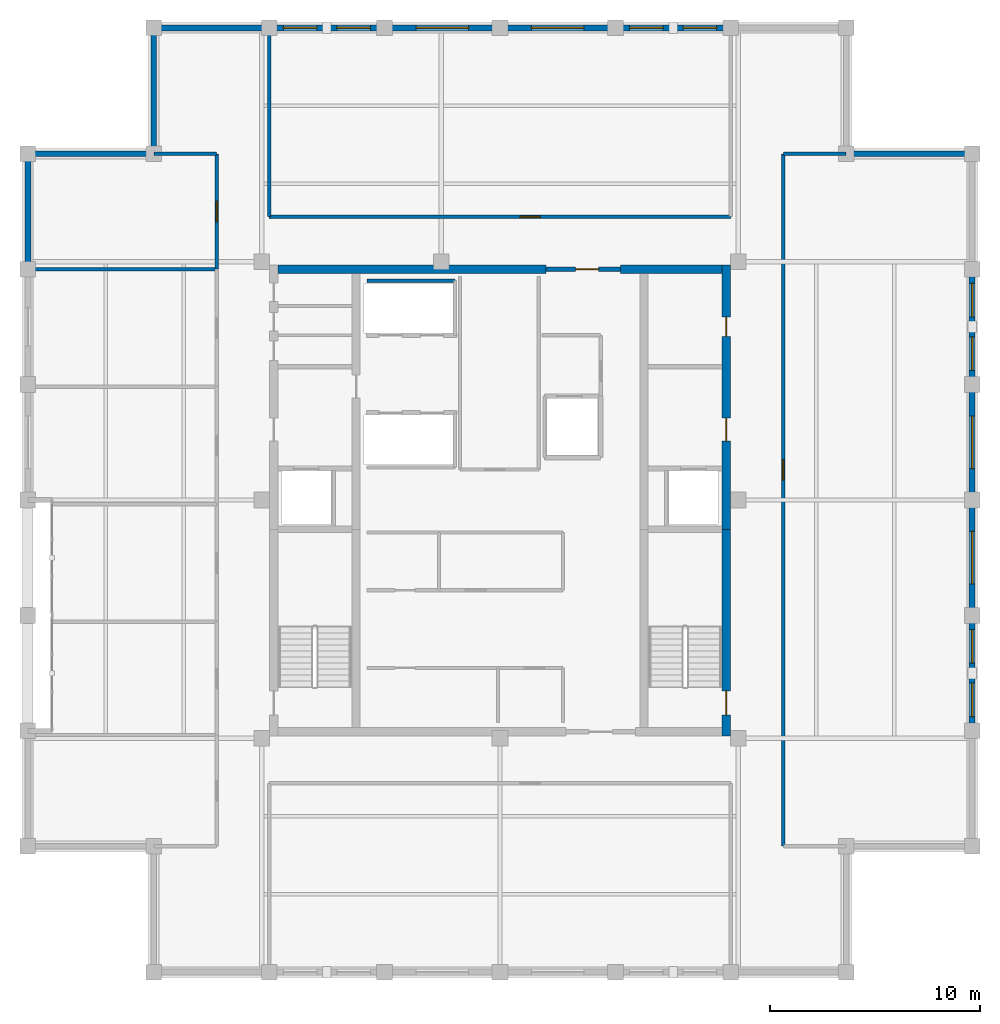
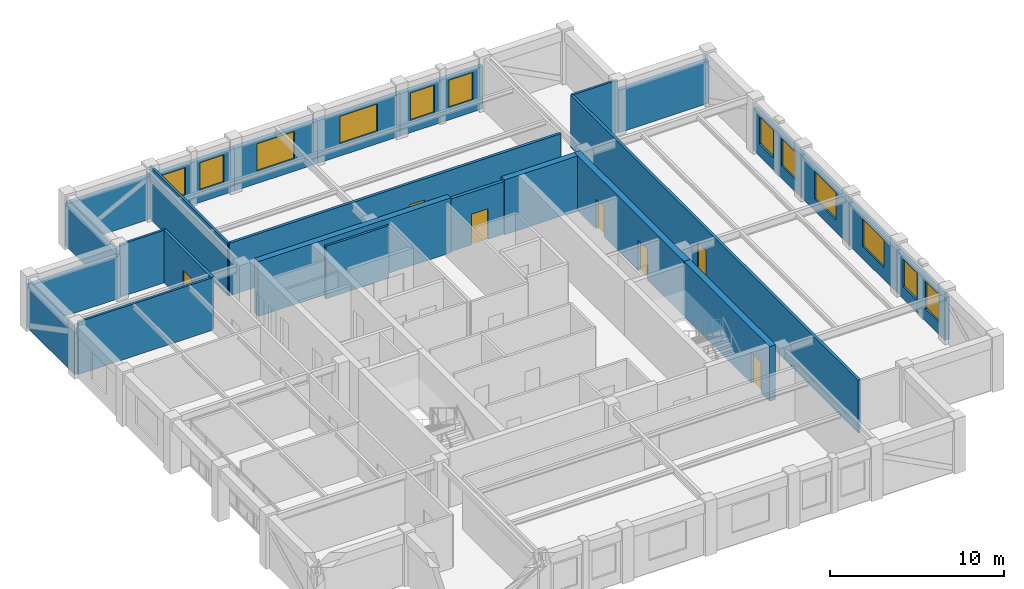
# One storey, part 8 of 10: 26 walls, 12 windows, 7 doors, 19 openings.
"""IFC4 building model written with IfcOpenShell, lengths in metres."""

from ifc_helpers import new_model, si_unit, direction, frame, frame_2d, origin, place, context, subcontext, project, spatial, rectangle, extrude, material, layer, layer_set, type_object, element, fill, save


model = new_model("IFC4")

# Units and contexts
model_context = context("Model", 3, precision=1e-05, world=origin(), true_north=direction((0.0, 1.0)))
body_context = subcontext(model_context, "Body", "Model", "MODEL_VIEW")
ifc_project = project(units=[si_unit("LENGTHUNIT", "METRE"), si_unit("AREAUNIT", "SQUARE_METRE"), si_unit("VOLUMEUNIT", "CUBIC_METRE"), si_unit("PLANEANGLEUNIT", "RADIAN"), si_unit("MASSUNIT", "GRAM", prefix="KILO")], contexts=[model_context])

# Site, building, storey
site_placement = place(None, origin())
site = spatial("IfcSite", under=ifc_project, at=site_placement, CompositionType="ELEMENT")
building_placement = place(site_placement, origin())
building = spatial("IfcBuilding", under=site, at=building_placement, Name="Nhamokura Convention Tower", CompositionType="ELEMENT")
storey_placement = place(building_placement, frame((0.0, 0.0, 296.800048828125)))
storey = spatial("IfcBuildingStorey", under=building, at=storey_placement, Name="L73", CompositionType="ELEMENT", Elevation=296.800048828125)

# Wall
ifc_material_1 = material(Name="Bronze-pigmented precast concrete C45/55", Category="concrete")
ifc_layer_1 = layer(ifc_material_1, 0.280029296875)
ifc_layer_set_1 = layer_set([ifc_layer_1], Name="BronzePrecastSpandrel_280")
wall_type_1 = type_object("IfcWallType", Name="BronzePrecastSpandrel_280", PredefinedType="USERDEFINED", material=ifc_layer_set_1)
wall_1_placement = place(storey_placement, frame((15.5, 54.5, 0.0), z_axis=(0.0, 0.0, 1.0), x_axis=(1.0, 0.0, 0.0)))
element("IfcWall", 1, at=wall_1_placement, inside=storey, type_object=wall_type_1, Name="L73 Braced-Bay Precast Wall NORTH 0", ObjectType="SPANDREL_WALL", PredefinedType="USERDEFINED", context=body_context, shape_type="SweptSolid", body=[
    extrude(rectangle(XDim=5.5, YDim=0.280029296875, at=frame_2d((2.75, 0.0))), origin(), (0.0, 0.0, 1.0), 2.98486328125),
])

# Wall, openings, windows
wall_2_placement = place(storey_placement, frame((21.0, 54.5, 0.0), z_axis=(0.0, 0.0, 1.0), x_axis=(1.0, 0.0, 0.0)))
wall_2 = element("IfcWall", 2, at=wall_2_placement, inside=storey, type_object=wall_type_1, Name="L73 Masonry-Frame Wall NORTH 1", ObjectType="SPANDREL_WALL", PredefinedType="USERDEFINED", context=body_context, shape_type="SweptSolid", body=[
    extrude(rectangle(XDim=5.5, YDim=0.280029296875, at=frame_2d((2.75, 0.0))), origin(), (0.0, 0.0, 1.0), 2.98486328125),
])
opening_1_placement = place(wall_2_placement, frame((0.675048828125, 0.0, 0.85009765625)))
opening_1 = element("IfcOpeningElement", 3, at=opening_1_placement, cuts=wall_2, Name="Opening W-11", PredefinedType="OPENING", context=body_context, shape_type="SweptSolid", body=[
    extrude(rectangle(XDim=1.60009765625, YDim=1.93505859375, at=frame_2d((0.800048828125, 0.967529296875))), frame((0.0, 0.14990234375, 0.0), z_axis=(0.0, -1.0, 0.0), x_axis=(1.0, 0.0, 0.0)), (0.0, 0.0, 1.0), 0.300048828125),
])
opening_2_placement = place(wall_2_placement, frame((3.22509765625, 0.0, 0.85009765625)))
opening_2 = element("IfcOpeningElement", 4, at=opening_2_placement, cuts=wall_2, Name="Opening W-11", PredefinedType="OPENING", context=body_context, shape_type="SweptSolid", body=[
    extrude(rectangle(XDim=1.60009765625, YDim=1.93505859375, at=frame_2d((0.800048828125, 0.967529296875))), frame((0.0, 0.14990234375, 0.0), z_axis=(0.0, -1.0, 0.0), x_axis=(1.0, 0.0, 0.0)), (0.0, 0.0, 1.0), 0.300048828125),
])
ifc_material_2 = material(Name="Solar-control bronze low-E double glass", Category="glass")
window_type_1 = type_object("IfcWindowType", Name="NotchCornerWindow_1600", PartitioningType="SINGLE_PANEL", PredefinedType="WINDOW", material=ifc_material_2)
window_1_placement = place(opening_1_placement, origin())
window_1 = element("IfcWindow", 5, at=window_1_placement, inside=storey, type_object=window_type_1, Name="L73 Facade Window NORTH 1-1", OverallHeight=1.93505859375, OverallWidth=1.60009765625, PartitioningType="SINGLE_PANEL", PredefinedType="WINDOW", context=body_context, shape_type="SweptSolid", body=[
    extrude(rectangle(XDim=1.60009765625, YDim=1.93505859375, at=frame_2d((0.800048828125, 0.967529296875))), frame((0.0, 0.030029296875, 0.0), z_axis=(0.0, -1.0, 0.0), x_axis=(1.0, 0.0, 0.0)), (0.0, 0.0, 1.0), 0.06005859375),
])
fill(opening_1, window_1)
window_2_placement = place(opening_2_placement, origin())
window_2 = element("IfcWindow", 6, at=window_2_placement, inside=storey, type_object=window_type_1, Name="L73 Facade Window NORTH 1-2", OverallHeight=1.93505859375, OverallWidth=1.60009765625, PartitioningType="SINGLE_PANEL", PredefinedType="WINDOW", context=body_context, shape_type="SweptSolid", body=[
    extrude(rectangle(XDim=1.60009765625, YDim=1.93505859375, at=frame_2d((0.800048828125, 0.967529296875))), frame((0.0, 0.030029296875, 0.0), z_axis=(0.0, -1.0, 0.0), x_axis=(1.0, 0.0, 0.0)), (0.0, 0.0, 1.0), 0.06005859375),
])
fill(opening_2, window_2)

# Wall, opening, window
wall_3_placement = place(storey_placement, frame((26.5, 54.5, 0.0), z_axis=(0.0, 0.0, 1.0), x_axis=(1.0, 0.0, 0.0)))
wall_3 = element("IfcWall", 7, at=wall_3_placement, inside=storey, type_object=wall_type_1, Name="L73 Masonry-Frame Wall NORTH 2", ObjectType="SPANDREL_WALL", PredefinedType="USERDEFINED", context=body_context, shape_type="SweptSolid", body=[
    extrude(rectangle(XDim=5.5, YDim=0.280029296875, at=frame_2d((2.75, 0.0))), origin(), (0.0, 0.0, 1.0), 2.98486328125),
])
opening_3_placement = place(wall_3_placement, frame((1.5, 0.0, 0.85009765625)))
opening_3 = element("IfcOpeningElement", 8, at=opening_3_placement, cuts=wall_3, Name="Opening W-09", PredefinedType="OPENING", context=body_context, shape_type="SweptSolid", body=[
    extrude(rectangle(XDim=2.5, YDim=1.93505859375, at=frame_2d((1.25, 0.967529296875))), frame((0.0, 0.14990234375, 0.0), z_axis=(0.0, -1.0, 0.0), x_axis=(1.0, 0.0, 0.0)), (0.0, 0.0, 1.0), 0.300048828125),
])
ifc_material_3 = material(Name="Solar-control bronze low-E double glass", Category="glass")
window_type_2 = type_object("IfcWindowType", Name="SummitWindow_Z4_2500", PartitioningType="DOUBLE_PANEL_VERTICAL", PredefinedType="WINDOW", material=ifc_material_3)
window_3_placement = place(opening_3_placement, origin())
window_3 = element("IfcWindow", 9, at=window_3_placement, inside=storey, type_object=window_type_2, Name="L73 Facade Window NORTH 2", OverallHeight=1.93505859375, OverallWidth=2.5, PartitioningType="SINGLE_PANEL", PredefinedType="WINDOW", context=body_context, shape_type="SweptSolid", body=[
    extrude(rectangle(XDim=2.5, YDim=1.93505859375, at=frame_2d((1.25, 0.967529296875))), frame((0.0, 0.030029296875, 0.0), z_axis=(0.0, -1.0, 0.0), x_axis=(1.0, 0.0, 0.0)), (0.0, 0.0, 1.0), 0.06005859375),
])
fill(opening_3, window_3)

wall_4_placement = place(storey_placement, frame((32.0, 54.5, 0.0), z_axis=(0.0, 0.0, 1.0), x_axis=(1.0, 0.0, 0.0)))
wall_4 = element("IfcWall", 10, at=wall_4_placement, inside=storey, type_object=wall_type_1, Name="L73 Masonry-Frame Wall NORTH 3", ObjectType="SPANDREL_WALL", PredefinedType="USERDEFINED", context=body_context, shape_type="SweptSolid", body=[
    extrude(rectangle(XDim=5.5, YDim=0.280029296875, at=frame_2d((2.75, 0.0))), origin(), (0.0, 0.0, 1.0), 2.98486328125),
])
opening_4_placement = place(wall_4_placement, frame((1.5, 0.0, 0.85009765625)))
opening_4 = element("IfcOpeningElement", 11, at=opening_4_placement, cuts=wall_4, Name="Opening W-09", PredefinedType="OPENING", context=body_context, shape_type="SweptSolid", body=[
    extrude(rectangle(XDim=2.5, YDim=1.93505859375, at=frame_2d((1.25, 0.967529296875))), frame((0.0, 0.14990234375, 0.0), z_axis=(0.0, -1.0, 0.0), x_axis=(1.0, 0.0, 0.0)), (0.0, 0.0, 1.0), 0.300048828125),
])
window_4_placement = place(opening_4_placement, origin())
window_4 = element("IfcWindow", 12, at=window_4_placement, inside=storey, type_object=window_type_2, Name="L73 Facade Window NORTH 3", OverallHeight=1.93505859375, OverallWidth=2.5, PartitioningType="SINGLE_PANEL", PredefinedType="WINDOW", context=body_context, shape_type="SweptSolid", body=[
    extrude(rectangle(XDim=2.5, YDim=1.93505859375, at=frame_2d((1.25, 0.967529296875))), frame((0.0, 0.030029296875, 0.0), z_axis=(0.0, -1.0, 0.0), x_axis=(1.0, 0.0, 0.0)), (0.0, 0.0, 1.0), 0.06005859375),
])
fill(opening_4, window_4)

# Wall, openings, windows
wall_5_placement = place(storey_placement, frame((37.5, 54.5, 0.0), z_axis=(0.0, 0.0, 1.0), x_axis=(1.0, 0.0, 0.0)))
wall_5 = element("IfcWall", 13, at=wall_5_placement, inside=storey, type_object=wall_type_1, Name="L73 Masonry-Frame Wall NORTH 4", ObjectType="SPANDREL_WALL", PredefinedType="USERDEFINED", context=body_context, shape_type="SweptSolid", body=[
    extrude(rectangle(XDim=5.5, YDim=0.280029296875, at=frame_2d((2.75, 0.0))), origin(), (0.0, 0.0, 1.0), 2.98486328125),
])
opening_5_placement = place(wall_5_placement, frame((0.675048828125, 0.0, 0.85009765625)))
opening_5 = element("IfcOpeningElement", 14, at=opening_5_placement, cuts=wall_5, Name="Opening W-11", PredefinedType="OPENING", context=body_context, shape_type="SweptSolid", body=[
    extrude(rectangle(XDim=1.60009765625, YDim=1.93505859375, at=frame_2d((0.800048828125, 0.967529296875))), frame((0.0, 0.14990234375, 0.0), z_axis=(0.0, -1.0, 0.0), x_axis=(1.0, 0.0, 0.0)), (0.0, 0.0, 1.0), 0.300048828125),
])
opening_6_placement = place(wall_5_placement, frame((3.22509765625, 0.0, 0.85009765625)))
opening_6 = element("IfcOpeningElement", 15, at=opening_6_placement, cuts=wall_5, Name="Opening W-11", PredefinedType="OPENING", context=body_context, shape_type="SweptSolid", body=[
    extrude(rectangle(XDim=1.60009765625, YDim=1.93505859375, at=frame_2d((0.800048828125, 0.967529296875))), frame((0.0, 0.14990234375, 0.0), z_axis=(0.0, -1.0, 0.0), x_axis=(1.0, 0.0, 0.0)), (0.0, 0.0, 1.0), 0.300048828125),
])
window_5_placement = place(opening_5_placement, origin())
window_5 = element("IfcWindow", 16, at=window_5_placement, inside=storey, type_object=window_type_1, Name="L73 Facade Window NORTH 4-1", OverallHeight=1.93505859375, OverallWidth=1.60009765625, PartitioningType="SINGLE_PANEL", PredefinedType="WINDOW", context=body_context, shape_type="SweptSolid", body=[
    extrude(rectangle(XDim=1.60009765625, YDim=1.93505859375, at=frame_2d((0.800048828125, 0.967529296875))), frame((0.0, 0.030029296875, 0.0), z_axis=(0.0, -1.0, 0.0), x_axis=(1.0, 0.0, 0.0)), (0.0, 0.0, 1.0), 0.06005859375),
])
fill(opening_5, window_5)
window_6_placement = place(opening_6_placement, origin())
window_6 = element("IfcWindow", 17, at=window_6_placement, inside=storey, type_object=window_type_1, Name="L73 Facade Window NORTH 4-2", OverallHeight=1.93505859375, OverallWidth=1.60009765625, PartitioningType="SINGLE_PANEL", PredefinedType="WINDOW", context=body_context, shape_type="SweptSolid", body=[
    extrude(rectangle(XDim=1.60009765625, YDim=1.93505859375, at=frame_2d((0.800048828125, 0.967529296875))), frame((0.0, 0.030029296875, 0.0), z_axis=(0.0, -1.0, 0.0), x_axis=(1.0, 0.0, 0.0)), (0.0, 0.0, 1.0), 0.06005859375),
])
fill(opening_6, window_6)

# Wall
wall_6_placement = place(storey_placement, frame((9.5, 43.0, 0.0), z_axis=(0.0, 0.0, 1.0), x_axis=(0.0, 1.0, 0.0)))
element("IfcWall", 18, at=wall_6_placement, inside=storey, type_object=wall_type_1, Name="L73 Braced-Bay Precast Wall WEST 5", ObjectType="SPANDREL_WALL", PredefinedType="USERDEFINED", context=body_context, shape_type="SweptSolid", body=[
    extrude(rectangle(XDim=5.5, YDim=0.280029296875, at=frame_2d((2.75, 0.0))), origin(), (0.0, 0.0, 1.0), 2.98486328125),
])

# Wall, openings, windows
wall_7_placement = place(storey_placement, frame((54.5, 26.5, 0.0), z_axis=(0.0, 0.0, 1.0), x_axis=(0.0, -1.0, 0.0)))
wall_7 = element("IfcWall", 19, at=wall_7_placement, inside=storey, type_object=wall_type_1, Name="L73 Masonry-Frame Wall EAST 1", ObjectType="SPANDREL_WALL", PredefinedType="USERDEFINED", context=body_context, shape_type="SweptSolid", body=[
    extrude(rectangle(XDim=5.5, YDim=0.280029296875, at=frame_2d((2.75, 0.0))), origin(), (0.0, 0.0, 1.0), 2.98486328125),
])
opening_7_placement = place(wall_7_placement, frame((0.675048828125, 0.0, 0.85009765625)))
opening_7 = element("IfcOpeningElement", 20, at=opening_7_placement, cuts=wall_7, Name="Opening W-11", PredefinedType="OPENING", context=body_context, shape_type="SweptSolid", body=[
    extrude(rectangle(XDim=1.60009765625, YDim=1.93505859375, at=frame_2d((0.800048828125, 0.967529296875))), frame((0.0, 0.14990234375, 0.0), z_axis=(0.0, -1.0, 0.0), x_axis=(1.0, 0.0, 0.0)), (0.0, 0.0, 1.0), 0.300048828125),
])
opening_8_placement = place(wall_7_placement, frame((3.22509765625, 0.0, 0.85009765625)))
opening_8 = element("IfcOpeningElement", 21, at=opening_8_placement, cuts=wall_7, Name="Opening W-11", PredefinedType="OPENING", context=body_context, shape_type="SweptSolid", body=[
    extrude(rectangle(XDim=1.60009765625, YDim=1.93505859375, at=frame_2d((0.800048828125, 0.967529296875))), frame((0.0, 0.14990234375, 0.0), z_axis=(0.0, -1.0, 0.0), x_axis=(1.0, 0.0, 0.0)), (0.0, 0.0, 1.0), 0.300048828125),
])
window_7_placement = place(opening_7_placement, origin())
window_7 = element("IfcWindow", 22, at=window_7_placement, inside=storey, type_object=window_type_1, Name="L73 Facade Window EAST 1-1", OverallHeight=1.93505859375, OverallWidth=1.60009765625, PartitioningType="SINGLE_PANEL", PredefinedType="WINDOW", context=body_context, shape_type="SweptSolid", body=[
    extrude(rectangle(XDim=1.60009765625, YDim=1.93505859375, at=frame_2d((0.800048828125, 0.967529296875))), frame((0.0, 0.030029296875, 0.0), z_axis=(0.0, -1.0, 0.0), x_axis=(1.0, 0.0, 0.0)), (0.0, 0.0, 1.0), 0.06005859375),
])
fill(opening_7, window_7)
window_8_placement = place(opening_8_placement, origin())
window_8 = element("IfcWindow", 23, at=window_8_placement, inside=storey, type_object=window_type_1, Name="L73 Facade Window EAST 1-2", OverallHeight=1.93505859375, OverallWidth=1.60009765625, PartitioningType="SINGLE_PANEL", PredefinedType="WINDOW", context=body_context, shape_type="SweptSolid", body=[
    extrude(rectangle(XDim=1.60009765625, YDim=1.93505859375, at=frame_2d((0.800048828125, 0.967529296875))), frame((0.0, 0.030029296875, 0.0), z_axis=(0.0, -1.0, 0.0), x_axis=(1.0, 0.0, 0.0)), (0.0, 0.0, 1.0), 0.06005859375),
])
fill(opening_8, window_8)

# Wall, opening, window
wall_8_placement = place(storey_placement, frame((54.5, 32.0, 0.0), z_axis=(0.0, 0.0, 1.0), x_axis=(0.0, -1.0, 0.0)))
wall_8 = element("IfcWall", 24, at=wall_8_placement, inside=storey, type_object=wall_type_1, Name="L73 Masonry-Frame Wall EAST 2", ObjectType="SPANDREL_WALL", PredefinedType="USERDEFINED", context=body_context, shape_type="SweptSolid", body=[
    extrude(rectangle(XDim=5.5, YDim=0.280029296875, at=frame_2d((2.75, 0.0))), origin(), (0.0, 0.0, 1.0), 2.98486328125),
])
opening_9_placement = place(wall_8_placement, frame((1.5, 0.0, 0.85009765625)))
opening_9 = element("IfcOpeningElement", 25, at=opening_9_placement, cuts=wall_8, Name="Opening W-09", PredefinedType="OPENING", context=body_context, shape_type="SweptSolid", body=[
    extrude(rectangle(XDim=2.5, YDim=1.93505859375, at=frame_2d((1.25, 0.967529296875))), frame((0.0, 0.14990234375, 0.0), z_axis=(0.0, -1.0, 0.0), x_axis=(1.0, 0.0, 0.0)), (0.0, 0.0, 1.0), 0.300048828125),
])
window_9_placement = place(opening_9_placement, origin())
window_9 = element("IfcWindow", 26, at=window_9_placement, inside=storey, type_object=window_type_2, Name="L73 Facade Window EAST 2", OverallHeight=1.93505859375, OverallWidth=2.5, PartitioningType="SINGLE_PANEL", PredefinedType="WINDOW", context=body_context, shape_type="SweptSolid", body=[
    extrude(rectangle(XDim=2.5, YDim=1.93505859375, at=frame_2d((1.25, 0.967529296875))), frame((0.0, 0.030029296875, 0.0), z_axis=(0.0, -1.0, 0.0), x_axis=(1.0, 0.0, 0.0)), (0.0, 0.0, 1.0), 0.06005859375),
])
fill(opening_9, window_9)

wall_9_placement = place(storey_placement, frame((54.5, 37.5, 0.0), z_axis=(0.0, 0.0, 1.0), x_axis=(0.0, -1.0, 0.0)))
wall_9 = element("IfcWall", 27, at=wall_9_placement, inside=storey, type_object=wall_type_1, Name="L73 Masonry-Frame Wall EAST 3", ObjectType="SPANDREL_WALL", PredefinedType="USERDEFINED", context=body_context, shape_type="SweptSolid", body=[
    extrude(rectangle(XDim=5.5, YDim=0.280029296875, at=frame_2d((2.75, 0.0))), origin(), (0.0, 0.0, 1.0), 2.98486328125),
])
opening_10_placement = place(wall_9_placement, frame((1.5, 0.0, 0.85009765625)))
opening_10 = element("IfcOpeningElement", 28, at=opening_10_placement, cuts=wall_9, Name="Opening W-09", PredefinedType="OPENING", context=body_context, shape_type="SweptSolid", body=[
    extrude(rectangle(XDim=2.5, YDim=1.93505859375, at=frame_2d((1.25, 0.967529296875))), frame((0.0, 0.14990234375, 0.0), z_axis=(0.0, -1.0, 0.0), x_axis=(1.0, 0.0, 0.0)), (0.0, 0.0, 1.0), 0.300048828125),
])
window_10_placement = place(opening_10_placement, origin())
window_10 = element("IfcWindow", 29, at=window_10_placement, inside=storey, type_object=window_type_2, Name="L73 Facade Window EAST 3", OverallHeight=1.93505859375, OverallWidth=2.5, PartitioningType="SINGLE_PANEL", PredefinedType="WINDOW", context=body_context, shape_type="SweptSolid", body=[
    extrude(rectangle(XDim=2.5, YDim=1.93505859375, at=frame_2d((1.25, 0.967529296875))), frame((0.0, 0.030029296875, 0.0), z_axis=(0.0, -1.0, 0.0), x_axis=(1.0, 0.0, 0.0)), (0.0, 0.0, 1.0), 0.06005859375),
])
fill(opening_10, window_10)

# Wall, openings, windows
wall_10_placement = place(storey_placement, frame((54.5, 43.0, 0.0), z_axis=(0.0, 0.0, 1.0), x_axis=(0.0, -1.0, 0.0)))
wall_10 = element("IfcWall", 30, at=wall_10_placement, inside=storey, type_object=wall_type_1, Name="L73 Masonry-Frame Wall EAST 4", ObjectType="SPANDREL_WALL", PredefinedType="USERDEFINED", context=body_context, shape_type="SweptSolid", body=[
    extrude(rectangle(XDim=5.5, YDim=0.280029296875, at=frame_2d((2.75, 0.0))), origin(), (0.0, 0.0, 1.0), 2.98486328125),
])
opening_11_placement = place(wall_10_placement, frame((0.675048828125, 0.0, 0.85009765625)))
opening_11 = element("IfcOpeningElement", 31, at=opening_11_placement, cuts=wall_10, Name="Opening W-11", PredefinedType="OPENING", context=body_context, shape_type="SweptSolid", body=[
    extrude(rectangle(XDim=1.60009765625, YDim=1.93505859375, at=frame_2d((0.800048828125, 0.967529296875))), frame((0.0, 0.14990234375, 0.0), z_axis=(0.0, -1.0, 0.0), x_axis=(1.0, 0.0, 0.0)), (0.0, 0.0, 1.0), 0.300048828125),
])
opening_12_placement = place(wall_10_placement, frame((3.22509765625, 0.0, 0.85009765625)))
opening_12 = element("IfcOpeningElement", 32, at=opening_12_placement, cuts=wall_10, Name="Opening W-11", PredefinedType="OPENING", context=body_context, shape_type="SweptSolid", body=[
    extrude(rectangle(XDim=1.60009765625, YDim=1.93505859375, at=frame_2d((0.800048828125, 0.967529296875))), frame((0.0, 0.14990234375, 0.0), z_axis=(0.0, -1.0, 0.0), x_axis=(1.0, 0.0, 0.0)), (0.0, 0.0, 1.0), 0.300048828125),
])
window_11_placement = place(opening_11_placement, origin())
window_11 = element("IfcWindow", 33, at=window_11_placement, inside=storey, type_object=window_type_1, Name="L73 Facade Window EAST 4-1", OverallHeight=1.93505859375, OverallWidth=1.60009765625, PartitioningType="SINGLE_PANEL", PredefinedType="WINDOW", context=body_context, shape_type="SweptSolid", body=[
    extrude(rectangle(XDim=1.60009765625, YDim=1.93505859375, at=frame_2d((0.800048828125, 0.967529296875))), frame((0.0, 0.030029296875, 0.0), z_axis=(0.0, -1.0, 0.0), x_axis=(1.0, 0.0, 0.0)), (0.0, 0.0, 1.0), 0.06005859375),
])
fill(opening_11, window_11)
window_12_placement = place(opening_12_placement, origin())
window_12 = element("IfcWindow", 34, at=window_12_placement, inside=storey, type_object=window_type_1, Name="L73 Facade Window EAST 4-2", OverallHeight=1.93505859375, OverallWidth=1.60009765625, PartitioningType="SINGLE_PANEL", PredefinedType="WINDOW", context=body_context, shape_type="SweptSolid", body=[
    extrude(rectangle(XDim=1.60009765625, YDim=1.93505859375, at=frame_2d((0.800048828125, 0.967529296875))), frame((0.0, 0.030029296875, 0.0), z_axis=(0.0, -1.0, 0.0), x_axis=(1.0, 0.0, 0.0)), (0.0, 0.0, 1.0), 0.06005859375),
])
fill(opening_12, window_12)

# Walls
for number, where, z_axis, x_axis, name in (
    (35, (48.5, 48.5, 0.0), (0.0, 0.0, 1.0), (1.0, 0.0, 0.0), "L73 Notched Corner Wall NE1"),
    (36, (15.5, 48.5, 0.0), (0.0, 0.0, 1.0), (0.0, 1.0, 0.0), "L73 Notched Corner Wall NW1"),
    (37, (9.5, 48.5, 0.0), (0.0, 0.0, 1.0), (1.0, 0.0, 0.0), "L73 Notched Corner Wall NW2"),
):
    element("IfcWall", number, at=place(storey_placement, frame(where, z_axis=z_axis, x_axis=x_axis)), inside=storey, type_object=wall_type_1, Name=name, ObjectType="SPANDREL_WALL", PredefinedType="USERDEFINED", context=body_context, shape_type="SweptSolid", body=[
        extrude(rectangle(XDim=6.0, YDim=0.280029296875, at=frame_2d((3.0, 0.0))), origin(), (0.0, 0.0, 1.0), 2.98486328125),
    ])

# Wall, opening, door
ifc_material_4 = material(Name="Concrete C50/60", Category="concrete")
ifc_layer_2 = layer(ifc_material_4, 0.39990234375)
ifc_layer_set_2 = layer_set([ifc_layer_2], Name="CoreShearWall_400")
wall_type_2 = type_object("IfcWallType", Name="CoreShearWall_400", PredefinedType="SHEAR", material=ifc_layer_set_2)
wall_11_placement = place(storey_placement, frame((42.7900390625, 20.75, 0.0), z_axis=(0.0, 0.0, 1.0), x_axis=(0.0, 1.0, 0.0)))
wall_11 = element("IfcWall", 38, at=wall_11_placement, inside=storey, type_object=wall_type_2, Name="L73 Core Shear Wall CW-ES", PredefinedType="SHEAR", context=body_context, shape_type="SweptSolid", body=[
    extrude(rectangle(XDim=9.85009765625, YDim=0.39990234375, at=frame_2d((4.925048828125, 0.0))), origin(), (0.0, 0.0, 1.0), 3.849853515625),
])
opening_13_placement = place(wall_11_placement, frame((1.0, 0.0, 0.0)))
opening_13 = element("IfcOpeningElement", 39, at=opening_13_placement, cuts=wall_11, Name="Opening D-04", PredefinedType="OPENING", context=body_context, shape_type="SweptSolid", body=[
    extrude(rectangle(XDim=1.14990234375, YDim=2.14990234375, at=frame_2d((0.574951171875, 1.074951171875))), frame((0.0, 0.2099609375, 0.0), z_axis=(0.0, -1.0, 0.0), x_axis=(1.0, 0.0, 0.0)), (0.0, 0.0, 1.0), 0.419921875),
])
ifc_material_5 = material(Name="Fire-rated steel door", Category="steel")
door_type_1 = type_object("IfcDoorType", Name="StairSmokeDoor_1150", OperationType="NOTDEFINED", PredefinedType="DOOR", material=ifc_material_5)
door_1_placement = place(opening_13_placement, origin())
door_1 = element("IfcDoor", 40, at=door_1_placement, inside=storey, type_object=door_type_1, Name="L73 Core Door INT-L73-D-ST02", OperationType="SINGLE_SWING_RIGHT", OverallHeight=2.14990234375, OverallWidth=1.14990234375, PredefinedType="DOOR", context=body_context, shape_type="SweptSolid", body=[
    extrude(rectangle(XDim=1.14990234375, YDim=2.14990234375, at=frame_2d((0.574951171875, 1.074951171875))), frame((0.0, 0.02490234375, 0.0), z_axis=(0.0, -1.0, 0.0), x_axis=(1.0, 0.0, 0.0)), (0.0, 0.0, 1.0), 0.050048828125),
])
fill(opening_13, door_1)

# Wall, openings, doors
wall_12_placement = place(storey_placement, frame((42.7900390625, 30.60009765625, 0.0), z_axis=(0.0, 0.0, 1.0), x_axis=(0.0, 1.0, 0.0)))
wall_12 = element("IfcWall", 41, at=wall_12_placement, inside=storey, type_object=wall_type_2, Name="L73 Core Shear Wall CW-EN", PredefinedType="SHEAR", context=body_context, shape_type="SweptSolid", body=[
    extrude(rectangle(XDim=12.599853515625, YDim=0.39990234375, at=frame_2d((6.2998046875, 0.0))), origin(), (0.0, 0.0, 1.0), 3.849853515625),
])
opening_14_placement = place(wall_12_placement, frame((4.199951171875, 0.0, 0.0)))
opening_14 = element("IfcOpeningElement", 42, at=opening_14_placement, cuts=wall_12, Name="Opening D-05", PredefinedType="OPENING", context=body_context, shape_type="SweptSolid", body=[
    extrude(rectangle(XDim=1.10009765625, YDim=2.14990234375, at=frame_2d((0.550048828125, 1.074951171875))), frame((0.0, 0.2099609375, 0.0), z_axis=(0.0, -1.0, 0.0), x_axis=(1.0, 0.0, 0.0)), (0.0, 0.0, 1.0), 0.419921875),
])
opening_15_placement = place(wall_12_placement, frame((9.199951171875, 0.0, 0.0)))
opening_15 = element("IfcOpeningElement", 43, at=opening_15_placement, cuts=wall_12, Name="Opening D-10", PredefinedType="OPENING", context=body_context, shape_type="SweptSolid", body=[
    extrude(rectangle(XDim=0.919921875, YDim=2.10009765625, at=frame_2d((0.4599609375, 1.050048828125))), frame((0.0, 0.2099609375, 0.0), z_axis=(0.0, -1.0, 0.0), x_axis=(1.0, 0.0, 0.0)), (0.0, 0.0, 1.0), 0.419921875),
])
ifc_material_6 = material(Name="Solid oak hardwood", Category="wood")
door_type_2 = type_object("IfcDoorType", Name="AccessibleWCDoor_920", OperationType="NOTDEFINED", PredefinedType="DOOR", material=ifc_material_6)
door_2_placement = place(opening_15_placement, origin())
door_2 = element("IfcDoor", 44, at=door_2_placement, inside=storey, type_object=door_type_2, Name="L73 Core Door INT-L73-D-UWC", OperationType="SINGLE_SWING_RIGHT", OverallHeight=2.10009765625, OverallWidth=0.919921875, PredefinedType="DOOR", context=body_context, shape_type="SweptSolid", body=[
    extrude(rectangle(XDim=0.919921875, YDim=2.10009765625, at=frame_2d((0.4599609375, 1.050048828125))), frame((0.0, 0.02490234375, 0.0), z_axis=(0.0, -1.0, 0.0), x_axis=(1.0, 0.0, 0.0)), (0.0, 0.0, 1.0), 0.050048828125),
])
fill(opening_15, door_2)
ifc_material_7 = material(Name="Fire-rated steel door", Category="steel")
door_type_3 = type_object("IfcDoorType", Name="FireLobbyDoor_1100", OperationType="NOTDEFINED", PredefinedType="DOOR", material=ifc_material_7)
door_3_placement = place(opening_14_placement, origin())
door_3 = element("IfcDoor", 45, at=door_3_placement, inside=storey, type_object=door_type_3, Name="L73 Core Door INT-L73-D-FFLE", OperationType="SINGLE_SWING_LEFT", OverallHeight=2.14990234375, OverallWidth=1.10009765625, PredefinedType="DOOR", context=body_context, shape_type="SweptSolid", body=[
    extrude(rectangle(XDim=1.10009765625, YDim=2.14990234375, at=frame_2d((0.550048828125, 1.074951171875))), frame((0.0, 0.02490234375, 0.0), z_axis=(0.0, -1.0, 0.0), x_axis=(1.0, 0.0, 0.0)), (0.0, 0.0, 1.0), 0.050048828125),
])
fill(opening_14, door_3)

# Walls
wall_13_placement = place(storey_placement, frame((21.409912109375, 43.0, 0.0), z_axis=(0.0, 0.0, 1.0), x_axis=(1.0, 0.0, 0.0)))
element("IfcWall", 46, at=wall_13_placement, inside=storey, type_object=wall_type_2, Name="L73 Core Shear Wall CW-N1", PredefinedType="SHEAR", context=body_context, shape_type="SweptSolid", body=[
    extrude(rectangle(XDim=12.7900390625, YDim=0.39990234375, at=frame_2d((6.39501953125, 0.0))), origin(), (0.0, 0.0, 1.0), 3.849853515625),
])
wall_14_placement = place(storey_placement, frame((37.75, 43.0, 0.0), z_axis=(0.0, 0.0, 1.0), x_axis=(1.0, 0.0, 0.0)))
element("IfcWall", 47, at=wall_14_placement, inside=storey, type_object=wall_type_2, Name="L73 Core Shear Wall CW-N2", PredefinedType="SHEAR", context=body_context, shape_type="SweptSolid", body=[
    extrude(rectangle(XDim=4.840087890625, YDim=0.39990234375, at=frame_2d((2.419921875, 0.0))), origin(), (0.0, 0.0, 1.0), 3.849853515625),
])

# Wall, opening, door
ifc_material_8 = material(Name="Fire-rated gypsum and masonry partition", Category="masonry")
ifc_layer_3 = layer(ifc_material_8, 0.179931640625)
ifc_layer_set_3 = layer_set([ifc_layer_3], Name="CorridorRatedWall_180")
wall_type_3 = type_object("IfcWallType", Name="CorridorRatedWall_180", PredefinedType="STANDARD", material=ifc_layer_set_3)
wall_15_placement = place(storey_placement, frame((21.0, 45.5, 0.0), z_axis=(0.0, 0.0, 1.0), x_axis=(1.0, 0.0, 0.0)))
wall_15 = element("IfcWall", 48, at=wall_15_placement, inside=storey, type_object=wall_type_3, Name="L73 Wall INT-L73-CW-N00", PredefinedType="STANDARD", context=body_context, shape_type="SweptSolid", body=[
    extrude(rectangle(XDim=22.0, YDim=0.179931640625, at=frame_2d((11.0, 0.0))), origin(), (0.0, 0.0, 1.0), 3.68505859375),
])
opening_16_placement = place(wall_15_placement, frame((11.949951171875, 0.0, 0.0)))
opening_16 = element("IfcOpeningElement", 49, at=opening_16_placement, cuts=wall_15, Name="Opening D-08", PredefinedType="OPENING", context=body_context, shape_type="SweptSolid", body=[
    extrude(rectangle(XDim=0.97998046875, YDim=2.199951171875, at=frame_2d((0.489990234375, 1.10009765625))), frame((0.0, 0.099853515625, 0.0), z_axis=(0.0, -1.0, 0.0), x_axis=(1.0, 0.0, 0.0)), (0.0, 0.0, 1.0), 0.199951171875),
])
ifc_material_9 = material(Name="Solid oak hardwood", Category="wood")
door_type_4 = type_object("IfcDoorType", Name="OfficeEntryDoor_980", OperationType="NOTDEFINED", PredefinedType="DOOR", material=ifc_material_9)
door_4_placement = place(opening_16_placement, origin())
door_4 = element("IfcDoor", 50, at=door_4_placement, inside=storey, type_object=door_type_4, Name="L73 Executive Suite N01 Door", OperationType="SINGLE_SWING_LEFT", OverallHeight=2.199951171875, OverallWidth=0.97998046875, PredefinedType="DOOR", context=body_context, shape_type="SweptSolid", body=[
    extrude(rectangle(XDim=0.97998046875, YDim=2.199951171875, at=frame_2d((0.489990234375, 1.10009765625))), frame((0.0, 0.02490234375, 0.0), z_axis=(0.0, -1.0, 0.0), x_axis=(1.0, 0.0, 0.0)), (0.0, 0.0, 1.0), 0.050048828125),
])
fill(opening_16, door_4)

wall_16_placement = place(storey_placement, frame((18.5, 43.0, 0.0), z_axis=(0.0, 0.0, 1.0), x_axis=(0.0, 1.0, 0.0)))
wall_16 = element("IfcWall", 51, at=wall_16_placement, inside=storey, type_object=wall_type_3, Name="L73 Wall INT-L73-CW-W05", PredefinedType="STANDARD", context=body_context, shape_type="SweptSolid", body=[
    extrude(rectangle(XDim=5.5, YDim=0.179931640625, at=frame_2d((2.75, 0.0))), origin(), (0.0, 0.0, 1.0), 3.68505859375),
])
opening_17_placement = place(wall_16_placement, frame((2.25, 0.0, 0.0)))
opening_17 = element("IfcOpeningElement", 52, at=opening_17_placement, cuts=wall_16, Name="Opening D-08", PredefinedType="OPENING", context=body_context, shape_type="SweptSolid", body=[
    extrude(rectangle(XDim=0.97998046875, YDim=2.199951171875, at=frame_2d((0.489990234375, 1.10009765625))), frame((0.0, 0.099853515625, 0.0), z_axis=(0.0, -1.0, 0.0), x_axis=(1.0, 0.0, 0.0)), (0.0, 0.0, 1.0), 0.199951171875),
])
door_5_placement = place(opening_17_placement, origin())
door_5 = element("IfcDoor", 53, at=door_5_placement, inside=storey, type_object=door_type_4, Name="L73 Broadcast Studio W06 Door", OperationType="SINGLE_SWING_RIGHT", OverallHeight=2.199951171875, OverallWidth=0.97998046875, PredefinedType="DOOR", context=body_context, shape_type="SweptSolid", body=[
    extrude(rectangle(XDim=0.97998046875, YDim=2.199951171875, at=frame_2d((0.489990234375, 1.10009765625))), frame((0.0, 0.02490234375, 0.0), z_axis=(0.0, -1.0, 0.0), x_axis=(1.0, 0.0, 0.0)), (0.0, 0.0, 1.0), 0.050048828125),
])
fill(opening_17, door_5)

wall_17_placement = place(storey_placement, frame((45.5, 15.5, 0.0), z_axis=(0.0, 0.0, 1.0), x_axis=(0.0, 1.0, 0.0)))
wall_17 = element("IfcWall", 54, at=wall_17_placement, inside=storey, type_object=wall_type_3, Name="L73 Wall INT-L73-CW-E00", PredefinedType="STANDARD", context=body_context, shape_type="SweptSolid", body=[
    extrude(rectangle(XDim=33.0, YDim=0.179931640625, at=frame_2d((16.5, 0.0))), origin(), (0.0, 0.0, 1.0), 3.68505859375),
])
opening_18_placement = place(wall_17_placement, frame((17.449951171875, 0.0, 0.0)))
opening_18 = element("IfcOpeningElement", 55, at=opening_18_placement, cuts=wall_17, Name="Opening D-08", PredefinedType="OPENING", context=body_context, shape_type="SweptSolid", body=[
    extrude(rectangle(XDim=0.97998046875, YDim=2.199951171875, at=frame_2d((0.489990234375, 1.10009765625))), frame((0.0, 0.099853515625, 0.0), z_axis=(0.0, -1.0, 0.0), x_axis=(1.0, 0.0, 0.0)), (0.0, 0.0, 1.0), 0.199951171875),
])
door_6_placement = place(opening_18_placement, origin())
door_6 = element("IfcDoor", 56, at=door_6_placement, inside=storey, type_object=door_type_4, Name="L73 Private Office E01 Door", OperationType="SINGLE_SWING_LEFT", OverallHeight=2.199951171875, OverallWidth=0.97998046875, PredefinedType="DOOR", context=body_context, shape_type="SweptSolid", body=[
    extrude(rectangle(XDim=0.97998046875, YDim=2.199951171875, at=frame_2d((0.489990234375, 1.10009765625))), frame((0.0, 0.02490234375, 0.0), z_axis=(0.0, -1.0, 0.0), x_axis=(1.0, 0.0, 0.0)), (0.0, 0.0, 1.0), 0.050048828125),
])
fill(opening_18, door_6)

ifc_material_10 = material(Name="Autoclaved concrete blockwork", Category="masonry")
ifc_layer_4 = layer(ifc_material_10, 0.219970703125)
ifc_layer_set_4 = layer_set([ifc_layer_4], Name="FireLobbyWall_220")
wall_type_4 = type_object("IfcWallType", Name="FireLobbyWall_220", PredefinedType="STANDARD", material=ifc_layer_set_4)
wall_18_placement = place(storey_placement, frame((34.199951171875, 43.0, 0.0), z_axis=(0.0, 0.0, 1.0), x_axis=(1.0, 0.0, 0.0)))
wall_18 = element("IfcWall", 57, at=wall_18_placement, inside=storey, type_object=wall_type_4, Name="L73 Wall INT-L73-CPORT-N", PredefinedType="STANDARD", context=body_context, shape_type="SweptSolid", body=[
    extrude(rectangle(XDim=3.550048828125, YDim=0.219970703125, at=frame_2d((1.77490234375, 0.0))), origin(), (0.0, 0.0, 1.0), 3.68505859375),
])
opening_19_placement = place(wall_18_placement, frame((1.39990234375, 0.0, 0.0)))
opening_19 = element("IfcOpeningElement", 58, at=opening_19_placement, cuts=wall_18, Name="Opening D-05", PredefinedType="OPENING", context=body_context, shape_type="SweptSolid", body=[
    extrude(rectangle(XDim=1.10009765625, YDim=2.14990234375, at=frame_2d((0.550048828125, 1.074951171875))), frame((0.0, 0.119873046875, 0.0), z_axis=(0.0, -1.0, 0.0), x_axis=(1.0, 0.0, 0.0)), (0.0, 0.0, 1.0), 0.239990234375),
])
door_7_placement = place(opening_19_placement, origin())
door_7 = element("IfcDoor", 59, at=door_7_placement, inside=storey, type_object=door_type_3, Name="L73 North Core Lobby Portal Door", OperationType="SINGLE_SWING_RIGHT", OverallHeight=2.14990234375, OverallWidth=1.10009765625, PredefinedType="DOOR", context=body_context, shape_type="SweptSolid", body=[
    extrude(rectangle(XDim=1.10009765625, YDim=2.14990234375, at=frame_2d((0.550048828125, 1.074951171875))), frame((0.0, 0.02490234375, 0.0), z_axis=(0.0, -1.0, 0.0), x_axis=(1.0, 0.0, 0.0)), (0.0, 0.0, 1.0), 0.050048828125),
])
fill(opening_19, door_7)

# Walls
ifc_material_11 = material(Name="Acoustic gypsum stud partition", Category="masonry")
ifc_layer_5 = layer(ifc_material_11, 0.14990234375)
ifc_layer_set_5 = layer_set([ifc_layer_5], Name="InteriorPartition_150")
wall_type_5 = type_object("IfcWallType", Name="InteriorPartition_150", PredefinedType="STANDARD", material=ifc_layer_set_5)
wall_19_placement = place(storey_placement, frame((25.64990234375, 42.449951171875, 0.0), z_axis=(0.0, 0.0, 1.0), x_axis=(1.0, 0.0, 0.0)))
element("IfcWall", 60, at=wall_19_placement, inside=storey, type_object=wall_type_5, Name="L73 Wall INT-L73-B3B-N", PredefinedType="STANDARD", context=body_context, shape_type="SweptSolid", body=[
    extrude(rectangle(XDim=4.2001953125, YDim=0.14990234375, at=frame_2d((2.10009765625, 0.0))), origin(), (0.0, 0.0, 1.0), 3.68505859375),
])
for number, where, z_axis, x_axis, name in (
    (61, (21.0, 45.5, 0.0), (0.0, 0.0, 1.0), (0.0, 1.0, 0.0), "L73 Wall INT-L73-RWL-N"),
    (62, (9.56005859375, 43.0, 0.0), (0.0, 0.0, 1.0), (1.0, 0.0, 0.0), "L73 Wall INT-L73-RW-W05"),
):
    element("IfcWall", number, at=place(storey_placement, frame(where, z_axis=z_axis, x_axis=x_axis)), inside=storey, type_object=wall_type_5, Name=name, PredefinedType="STANDARD", context=body_context, shape_type="SweptSolid", body=[
        extrude(rectangle(XDim=8.93994140625, YDim=0.14990234375, at=frame_2d((4.469970703125, 0.0))), origin(), (0.0, 0.0, 1.0), 3.68505859375),
    ])
for number, where, z_axis, x_axis, name in (
    (63, (15.5, 48.5, 0.0), (0.0, 0.0, 1.0), (1.0, 0.0, 0.0), "L73 Wall INT-L73-VSTP-WN"),
    (64, (45.5, 48.5, 0.0), (0.0, 0.0, 1.0), (1.0, 0.0, 0.0), "L73 Wall INT-L73-VSTP-EN"),
):
    element("IfcWall", number, at=place(storey_placement, frame(where, z_axis=z_axis, x_axis=x_axis)), inside=storey, type_object=wall_type_5, Name=name, PredefinedType="STANDARD", context=body_context, shape_type="SweptSolid", body=[
        extrude(rectangle(XDim=3.0, YDim=0.14990234375, at=frame_2d((1.5, 0.0))), origin(), (0.0, 0.0, 1.0), 3.68505859375),
    ])

save(model, "model.ifc")
